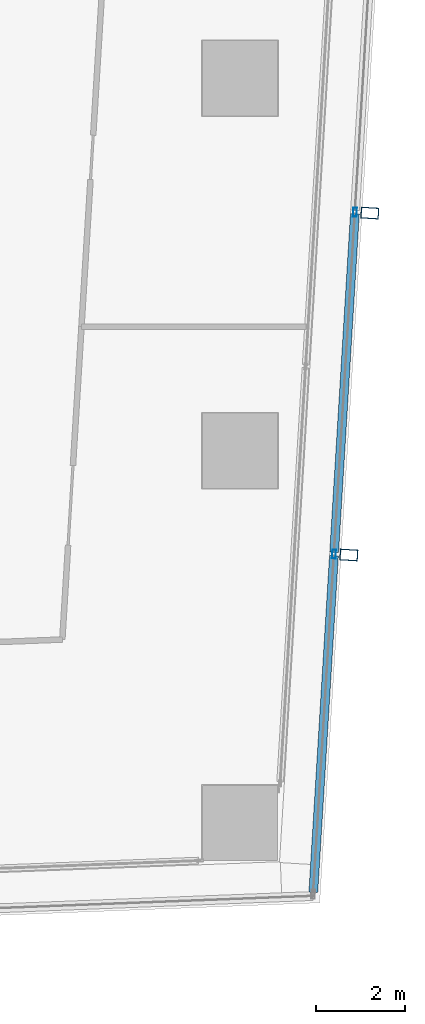
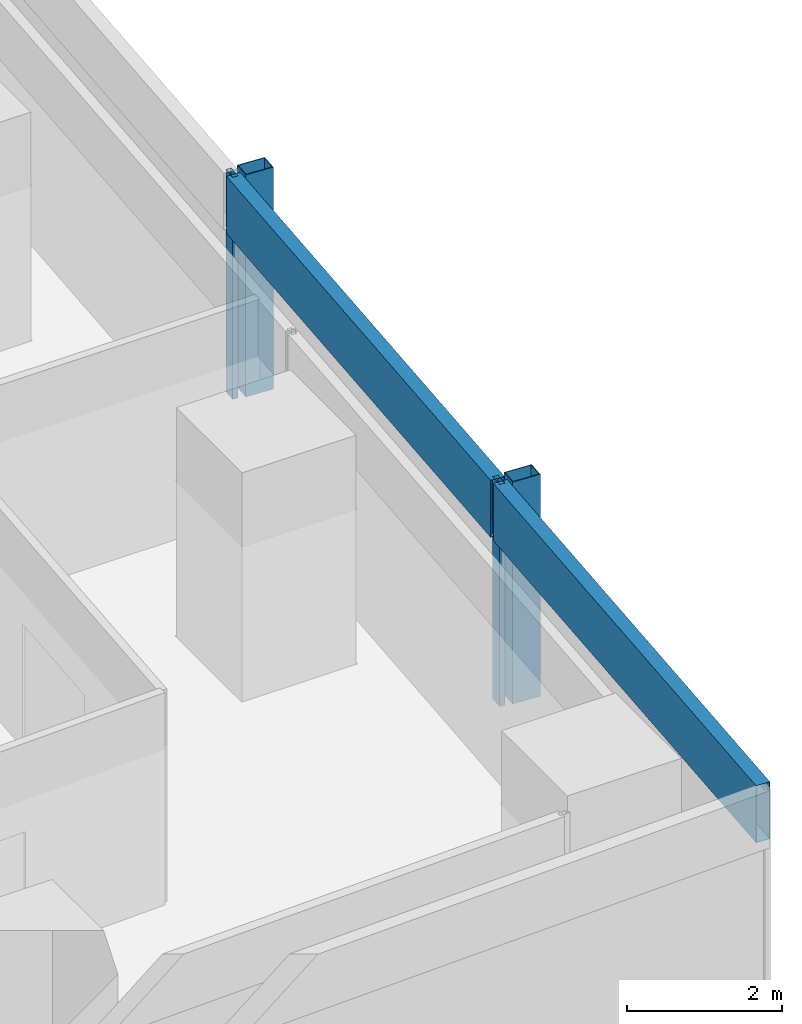
# One storey, part 23 of 40: 6 members, 1 element without a shape of its own.
"""IFC4 building model written with IfcOpenShell, lengths in metres."""

import ifcopenshell
import ifcopenshell.guid

model = None  # the IFC model being written
_history = None  # IfcOwnerHistory: only IFC2X3 demands one
_inside = {}  # id of a spatial element -> (the spatial element, [elements in it])
_under = {}  # id of a project, library or spatial element -> (it, [spatial elements below it])
_declared = {}  # id of a project -> (the project, [libraries it declares])
_typed = {}  # id of a type object -> (the type object, [elements of that type])
_made_of = {}  # id of a material, layer set ... -> (it, [elements and type objects made of it])


def new_model(schema):
    """Start an empty IFC model of exactly this schema.

    Asked for "IFC4X3", IfcOpenShell would pick the latest addendum, in which some entities
    have other attributes; the version numbers below select the first issue.
    IFC2X3 requires an IfcOwnerHistory on every rooted entity: one is made here for all.
    """
    global model, _history
    if schema == "IFC4X3":
        model = ifcopenshell.file(schema_version=(4, 3, 0, 0))
    else:
        model = ifcopenshell.file(schema=schema)
    _inside.clear()
    _under.clear()
    _declared.clear()
    _typed.clear()
    _made_of.clear()
    _history = None
    if model.schema == "IFC2X3":
        org = make("IfcOrganization", Name="unknown")
        user = make(
            "IfcPersonAndOrganization",
            ThePerson=make("IfcPerson", FamilyName="unknown"),
            TheOrganization=org,
        )
        app = make(
            "IfcApplication",
            ApplicationDeveloper=org,
            Version="unknown",
            ApplicationFullName="unknown",
            ApplicationIdentifier="unknown",
        )
        _history = make(
            "IfcOwnerHistory",
            OwningUser=user,
            OwningApplication=app,
            ChangeAction="ADDED",
            CreationDate=0,
        )
    return model


def make(cls, **values):
    """One entity of the class cls with the attributes given. An attribute that is None is left unset."""
    return model.create_entity(
        cls, **{name: value for name, value in values.items() if value is not None}
    )


def rooted(cls, **values):
    """An entity with a GlobalId (a new one), such as an element, a storey or a relation."""
    return make(cls, GlobalId=ifcopenshell.guid.new(), OwnerHistory=_history, **values)


def si_unit(unit_type, name, prefix=None):
    """IfcSIUnit, for example si_unit("LENGTHUNIT", "METRE", prefix="MILLI")."""
    return make("IfcSIUnit", UnitType=unit_type, Prefix=prefix, Name=name)


def assignment(units):
    """IfcUnitAssignment: the units of a project."""
    return None if units is None else make("IfcUnitAssignment", Units=units)


def point(xyz):
    """IfcCartesianPoint."""
    return None if xyz is None else make("IfcCartesianPoint", Coordinates=xyz)


def direction(xyz):
    """IfcDirection."""
    return None if xyz is None else make("IfcDirection", DirectionRatios=xyz)


def frame(location, z_axis=None, x_axis=None):
    """IfcAxis2Placement3D, a coordinate frame: its origin and axes. An axis left out is left unset."""
    return make(
        "IfcAxis2Placement3D",
        Location=point(location),
        Axis=direction(z_axis),
        RefDirection=direction(x_axis),
    )


def frame_2d(location, x_axis=None):
    """IfcAxis2Placement2D, a coordinate frame in the plane: its origin and x axis."""
    return make(
        "IfcAxis2Placement2D", Location=point(location), RefDirection=direction(x_axis)
    )


def origin():
    """The frame at (0, 0, 0) with its axes left unset."""
    return frame((0.0, 0.0, 0.0))


def origin_2d():
    """The frame at (0, 0) in the plane with its x axis left unset."""
    return frame_2d((0.0, 0.0))


def place(relative_to, where):
    """IfcLocalPlacement: puts the frame where relative to a parent placement (None: the world)."""
    return make(
        "IfcLocalPlacement", PlacementRelTo=relative_to, RelativePlacement=where
    )


def context(
    kind, dimensions, precision=None, world=None, true_north=None, identifier=None
):
    """IfcGeometricRepresentationContext, for example the 3D "Model" context."""
    return make(
        "IfcGeometricRepresentationContext",
        ContextIdentifier=identifier,
        ContextType=kind,
        CoordinateSpaceDimension=dimensions,
        Precision=precision,
        WorldCoordinateSystem=world,
        TrueNorth=true_north,
    )


def subcontext(parent, identifier, kind, view, scale=None):
    """IfcGeometricRepresentationSubContext, for example "Body" below "Model"."""
    return make(
        "IfcGeometricRepresentationSubContext",
        ContextIdentifier=identifier,
        ContextType=kind,
        ParentContext=parent,
        TargetScale=scale,
        TargetView=view,
    )


def project(units=None, contexts=None):
    """IfcProject with its units and contexts."""
    return rooted(
        "IfcProject",
        Name="project",
        RepresentationContexts=contexts,
        UnitsInContext=assignment(units),
    )


def spatial(cls, under=None, at=None, **own):
    """A site, building, storey or space (cls), placed at a placement, below another one or the project."""
    s = rooted(cls, ObjectPlacement=at, **own)
    if under is not None:
        _under.setdefault(under.id(), (under, []))[1].append(s)
    return s


def profile(cls, at=None, kind="AREA", **sizes):
    """A parametric profile (cls). Its sizes go by their IFC names, for example OverallWidth=200.0."""
    return make(cls, ProfileType=kind, Position=at, **sizes)


def hollow_rectangle(**sizes):
    """IfcRectangleHollowProfileDef."""
    return profile("IfcRectangleHollowProfileDef", **sizes)


def extrude(swept, where, along, depth):
    """IfcExtrudedAreaSolid: the profile swept, set in the frame where, extruded along a direction by depth."""
    return make(
        "IfcExtrudedAreaSolid",
        SweptArea=swept,
        Position=where,
        ExtrudedDirection=direction(along),
        Depth=depth,
    )


def shape(context_of_items, identifier, shape_type, items):
    """IfcShapeRepresentation: the items that make up one representation, for example the "Body"."""
    return make(
        "IfcShapeRepresentation",
        ContextOfItems=context_of_items,
        RepresentationIdentifier=identifier,
        RepresentationType=shape_type,
        Items=items,
    )


def material(Name=None, Category=None):
    """IfcMaterial."""
    return make("IfcMaterial", Name=Name, Category=Category)


def material_profile(
    of_material, cross_section, Name=None, Category=None, Priority=None
):
    """IfcMaterialProfile: a cross section and its material."""
    return make(
        "IfcMaterialProfile",
        Name=Name,
        Material=of_material,
        Profile=cross_section,
        Priority=Priority,
        Category=Category,
    )


def profile_set(profiles, Name=None, composite=None):
    """IfcMaterialProfileSet."""
    return make(
        "IfcMaterialProfileSet",
        Name=Name,
        MaterialProfiles=profiles,
        CompositeProfile=composite,
    )


def made_of(thing, what):
    """Note that an element or type object is made of a material, layer set ...; save() writes the relation."""
    if what is not None:
        _made_of.setdefault(what.id(), (what, []))[1].append(thing)
    return thing


def type_object(cls, material=None, **own):
    """A type object (cls), such as IfcWallType, which elements share."""
    return made_of(rooted(cls, **own), material)


def element(
    cls,
    number,
    at=None,
    inside=None,
    cuts=None,
    type_object=None,
    material=None,
    context=None,
    identifier="Body",
    shape_type=None,
    held_by="IfcProductDefinitionShape",
    body=None,
    shapes=None,
    **own,
):
    """One element of the class cls, such as IfcWall. Its Tag is "e" and its number.

    at: its placement. inside: the storey or other place that contains it. cuts: it is an
    opening in that element (IfcRelVoidsElement). A single representation is given by context,
    identifier, shape_type and body (its items); several are given by shapes. held_by: the class
    of the entity that holds the representations. save() writes the other relations.
    """
    e = rooted(cls, Tag="e%d" % number, ObjectPlacement=at, **own)
    if body is not None:
        shapes = [shape(context, identifier, shape_type, body)]
    if shapes is not None:
        e.Representation = make(held_by, Representations=shapes)
    if inside is not None:
        _inside.setdefault(inside.id(), (inside, []))[1].append(e)
    if cuts is not None:
        rooted(
            "IfcRelVoidsElement", RelatingBuildingElement=cuts, RelatedOpeningElement=e
        )
    if type_object is not None:
        _typed.setdefault(type_object.id(), (type_object, []))[1].append(e)
    return made_of(e, material)


def aggregate(whole, parts):
    """IfcRelAggregates: a whole, such as a stair, and the parts it consists of."""
    return rooted("IfcRelAggregates", RelatingObject=whole, RelatedObjects=parts)


def save(model, path):
    """Write the relations noted so far, then the file.

    IfcRelAggregates (storeys below a building ...), IfcRelContainedInSpatialStructure (elements
    in a storey), IfcRelDefinesByType, IfcRelAssociatesMaterial and IfcRelDeclares: one each for
    every whole, place, type object, material and project.
    """
    for whole, parts in _under.values():
        aggregate(whole, parts)
    for where, things in _inside.values():
        rooted(
            "IfcRelContainedInSpatialStructure",
            RelatedElements=things,
            RelatingStructure=where,
        )
    for kind, things in _typed.values():
        rooted("IfcRelDefinesByType", RelatedObjects=things, RelatingType=kind)
    for what, things in _made_of.values():
        rooted("IfcRelAssociatesMaterial", RelatedObjects=things, RelatingMaterial=what)
    for by, libraries in _declared.values():
        rooted("IfcRelDeclares", RelatingContext=by, RelatedDefinitions=libraries)
    model.write(path)


model = new_model("IFC4")

# Units and contexts
model_context = context("Model", 3, precision=1e-05, world=origin(), true_north=direction((0.0, 1.0)))
body_context = subcontext(model_context, "Body", "Model", "MODEL_VIEW")
ifc_project = project(units=[si_unit("LENGTHUNIT", "METRE"), si_unit("AREAUNIT", "SQUARE_METRE"), si_unit("VOLUMEUNIT", "CUBIC_METRE"), si_unit("PLANEANGLEUNIT", "RADIAN"), si_unit("MASSUNIT", "GRAM", prefix="KILO")], contexts=[model_context])

# Site, building, storey
site_placement = place(None, origin())
site = spatial("IfcSite", under=ifc_project, at=site_placement, CompositionType="ELEMENT")
building_placement = place(site_placement, origin())
building = spatial("IfcBuilding", under=site, at=building_placement, Name="Rekha Terrace Tower", CompositionType="ELEMENT")
storey_placement = place(building_placement, frame((0.0, 0.0, 136.550048828125)))
storey = spatial("IfcBuildingStorey", under=building, at=storey_placement, Name="L34", CompositionType="ELEMENT", Elevation=136.550048828125)

# Curtain wall, members
ifc_material_1 = material(Name="Aluminium framing", Category="aluminium")
curtain_wall_type = type_object("IfcCurtainWallType", Name="CW2 double skin outer glazing", PredefinedType="USERDEFINED", material=ifc_material_1)
curtain_wall_placement = place(storey_placement, origin())
curtain_wall = element("IfcCurtainWall", 1, at=curtain_wall_placement, inside=storey, type_object=curtain_wall_type, Name="CW2 double skin outer glazing", ObjectType="DOUBLE SKIN OUTER GLAZING", PredefinedType="USERDEFINED")
ifc_material_2 = material(Name="Steel S355 with fluorocarbon finish", Category="steel")
ifc_material_profile_1 = material_profile(ifc_material_2, hollow_rectangle(XDim=0.25, YDim=0.39990234375, WallThickness=0.012451171875, at=origin_2d()), Name="RHS400x250x12.5")
ifc_profile_set_1 = profile_set([ifc_material_profile_1], Name="Steel S355 with fluorocarbon finish")
member_type_1 = type_object("IfcMemberType", Name="BL1 facade blade RHS 400 x 250", PredefinedType="USERDEFINED", material=ifc_profile_set_1)
member_1_placement = place(storey_placement, frame((69.656005859375, 22.845703125, 0.0), z_axis=(0.0, 0.0, 1.0), x_axis=(0.061160031881, 0.998127973008, 0.0)))
member_1 = element("IfcMember", 2, at=member_1_placement, type_object=member_type_1, Name="Facade blade", ObjectType="FACADE BLADE", PredefinedType="USERDEFINED", context=body_context, shape_type="SweptSolid", body=[
    extrude(hollow_rectangle(XDim=0.25, YDim=0.39990234375, WallThickness=0.012451171875, at=origin_2d()), origin(), (0.0, 0.0, 1.0), 3.5),
])
member_2_placement = place(storey_placement, frame((70.128662109375, 30.557861328125, 0.0), z_axis=(0.0, 0.0, 1.0), x_axis=(0.061160031881, 0.998127973008, 0.0)))
member_2 = element("IfcMember", 3, at=member_2_placement, type_object=member_type_1, Name="Facade blade", ObjectType="FACADE BLADE", PredefinedType="USERDEFINED", context=body_context, shape_type="SweptSolid", body=[
    extrude(hollow_rectangle(XDim=0.25, YDim=0.39990234375, WallThickness=0.012451171875, at=origin_2d()), origin(), (0.0, 0.0, 1.0), 3.5),
])
ifc_material_3 = material(Name="Aluminium mullion section", Category="aluminium")
ifc_material_profile_2 = material_profile(ifc_material_3, hollow_rectangle(XDim=0.080078125, YDim=0.199951171875, WallThickness=0.00390625, at=origin_2d()), Name="AL RHS 80x200")
ifc_profile_set_2 = profile_set([ifc_material_profile_2], Name="Aluminium mullion section")
member_type_2 = type_object("IfcMemberType", Name="CW2 mullion RHS 80 x 200", PredefinedType="MULLION", material=ifc_profile_set_2)
member_3_placement = place(storey_placement, frame((69.32177734375, 22.8662109375, 0.0), z_axis=(0.0, 0.0, 1.0), x_axis=(-0.998127987024, 0.061159803131, 0.0)))
member_3 = element("IfcMember", 4, at=member_3_placement, type_object=member_type_2, Name="CW2 mullion 2", PredefinedType="MULLION", context=body_context, shape_type="SweptSolid", body=[
    extrude(hollow_rectangle(XDim=0.080078125, YDim=0.199951171875, WallThickness=0.00390625, at=origin_2d()), origin(), (0.0, 0.0, 1.0), 3.5),
])
member_4_placement = place(storey_placement, frame((69.794189453125, 30.578369140625, 0.0), z_axis=(0.0, 0.0, 1.0), x_axis=(-0.998127987024, 0.061159803131, 0.0)))
member_4 = element("IfcMember", 5, at=member_4_placement, type_object=member_type_2, Name="CW2 mullion 3", PredefinedType="MULLION", context=body_context, shape_type="SweptSolid", body=[
    extrude(hollow_rectangle(XDim=0.080078125, YDim=0.199951171875, WallThickness=0.00390625, at=origin_2d()), origin(), (0.0, 0.0, 1.0), 3.5),
])
ifc_material_4 = material(Name="Insulated aluminium spandrel box", Category="aluminium")
ifc_material_profile_3 = material_profile(ifc_material_4, hollow_rectangle(XDim=0.199951171875, YDim=0.89990234375, WallThickness=0.0029296875, at=origin_2d()), Name="AL SPANDREL BOX 200x900")
ifc_profile_set_3 = profile_set([ifc_material_profile_3], Name="Insulated aluminium spandrel box")
member_type_3 = type_object("IfcMemberType", Name="CW2 spandrel transom 200 x 900", PredefinedType="USERDEFINED", material=ifc_profile_set_3)
member_5_placement = place(storey_placement, frame((68.85400390625, 15.234130859375, 3.050048828125), z_axis=(0.061175320944, 0.998127036057, 0.0), x_axis=(-0.998127036057, 0.061175320944, 0.0)))
member_5 = element("IfcMember", 6, at=member_5_placement, type_object=member_type_3, Name="CW2 spandrel transom 1", ObjectType="TRANSOM", PredefinedType="USERDEFINED", context=body_context, shape_type="SweptSolid", body=[
    extrude(hollow_rectangle(XDim=0.199951171875, YDim=0.89990234375, WallThickness=0.0029296875, at=origin_2d()), origin(), (0.0, 0.0, 1.0), 7.6064453125),
])
member_6_placement = place(storey_placement, frame((69.32421875, 22.90625, 3.050048828125), z_axis=(0.061141871886, 0.998129085591, 0.0), x_axis=(-0.998129085591, 0.061141871886, 0.0)))
member_6 = element("IfcMember", 7, at=member_6_placement, type_object=member_type_3, Name="CW2 spandrel transom 2", ObjectType="TRANSOM", PredefinedType="USERDEFINED", context=body_context, shape_type="SweptSolid", body=[
    extrude(hollow_rectangle(XDim=0.199951171875, YDim=0.89990234375, WallThickness=0.0029296875, at=origin_2d()), origin(), (0.0, 0.0, 1.0), 7.646728515625),
])
aggregate(curtain_wall, [member_3, member_4, member_5, member_6, member_1, member_2])

save(model, "model.ifc")
